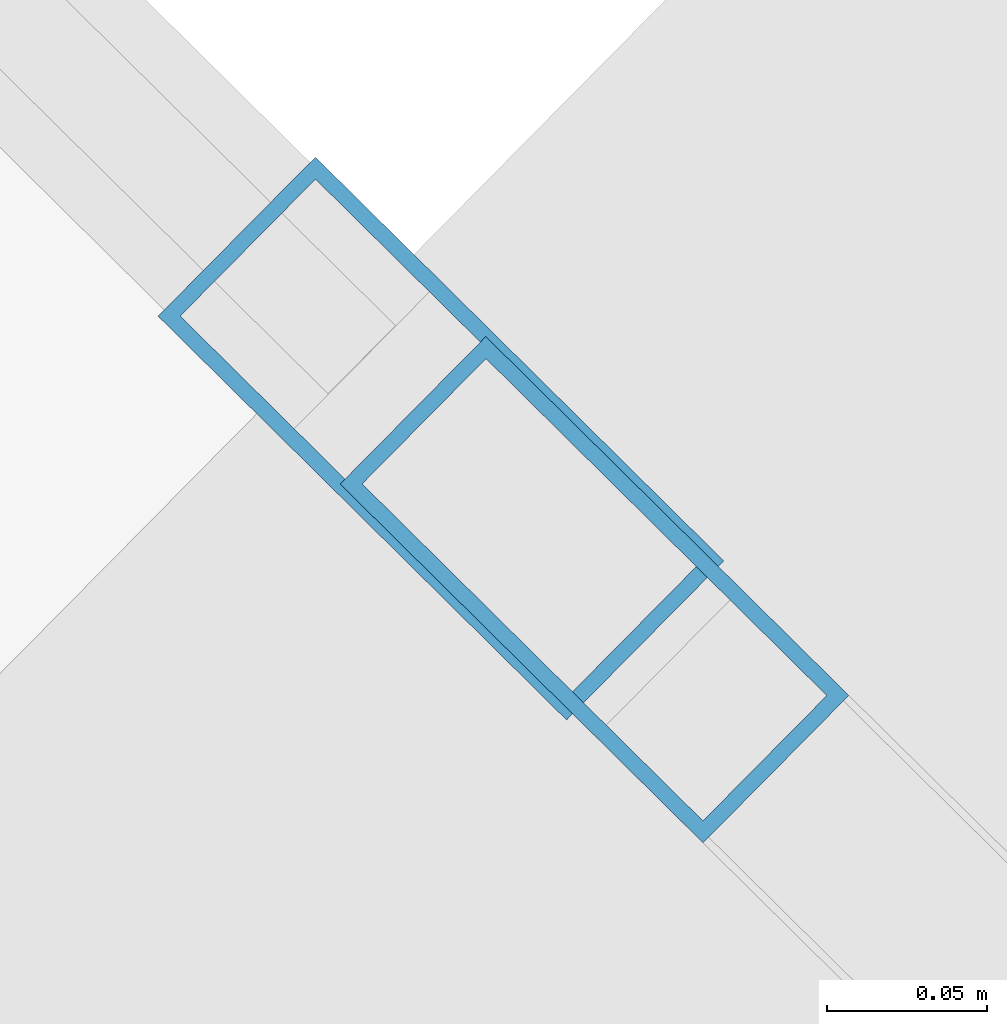
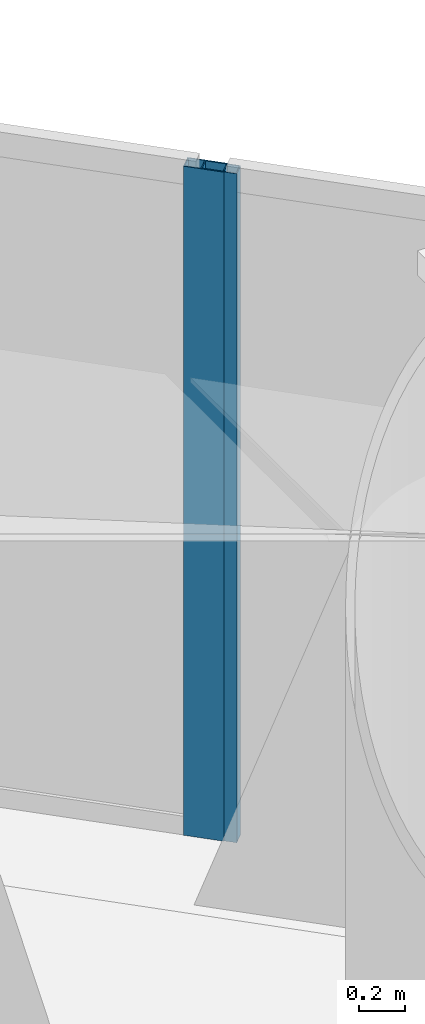
# One storey, part 12 of 24: 2 members, 2 elements without a shape of their own.
"""IFC4 building model written with IfcOpenShell, lengths in metres."""

import ifcopenshell
import ifcopenshell.guid

model = None  # the IFC model being written
_history = None  # IfcOwnerHistory: only IFC2X3 demands one
_inside = {}  # id of a spatial element -> (the spatial element, [elements in it])
_under = {}  # id of a project, library or spatial element -> (it, [spatial elements below it])
_declared = {}  # id of a project -> (the project, [libraries it declares])
_typed = {}  # id of a type object -> (the type object, [elements of that type])
_made_of = {}  # id of a material, layer set ... -> (it, [elements and type objects made of it])


def new_model(schema):
    """Start an empty IFC model of exactly this schema.

    Asked for "IFC4X3", IfcOpenShell would pick the latest addendum, in which some entities
    have other attributes; the version numbers below select the first issue.
    IFC2X3 requires an IfcOwnerHistory on every rooted entity: one is made here for all.
    """
    global model, _history
    if schema == "IFC4X3":
        model = ifcopenshell.file(schema_version=(4, 3, 0, 0))
    else:
        model = ifcopenshell.file(schema=schema)
    _inside.clear()
    _under.clear()
    _declared.clear()
    _typed.clear()
    _made_of.clear()
    _history = None
    if model.schema == "IFC2X3":
        org = make("IfcOrganization", Name="unknown")
        user = make(
            "IfcPersonAndOrganization",
            ThePerson=make("IfcPerson", FamilyName="unknown"),
            TheOrganization=org,
        )
        app = make(
            "IfcApplication",
            ApplicationDeveloper=org,
            Version="unknown",
            ApplicationFullName="unknown",
            ApplicationIdentifier="unknown",
        )
        _history = make(
            "IfcOwnerHistory",
            OwningUser=user,
            OwningApplication=app,
            ChangeAction="ADDED",
            CreationDate=0,
        )
    return model


def make(cls, **values):
    """One entity of the class cls with the attributes given. An attribute that is None is left unset."""
    return model.create_entity(
        cls, **{name: value for name, value in values.items() if value is not None}
    )


def rooted(cls, **values):
    """An entity with a GlobalId (a new one), such as an element, a storey or a relation."""
    return make(cls, GlobalId=ifcopenshell.guid.new(), OwnerHistory=_history, **values)


def si_unit(unit_type, name, prefix=None):
    """IfcSIUnit, for example si_unit("LENGTHUNIT", "METRE", prefix="MILLI")."""
    return make("IfcSIUnit", UnitType=unit_type, Prefix=prefix, Name=name)


def assignment(units):
    """IfcUnitAssignment: the units of a project."""
    return None if units is None else make("IfcUnitAssignment", Units=units)


def point(xyz):
    """IfcCartesianPoint."""
    return None if xyz is None else make("IfcCartesianPoint", Coordinates=xyz)


def direction(xyz):
    """IfcDirection."""
    return None if xyz is None else make("IfcDirection", DirectionRatios=xyz)


def frame(location, z_axis=None, x_axis=None):
    """IfcAxis2Placement3D, a coordinate frame: its origin and axes. An axis left out is left unset."""
    return make(
        "IfcAxis2Placement3D",
        Location=point(location),
        Axis=direction(z_axis),
        RefDirection=direction(x_axis),
    )


def frame_2d(location, x_axis=None):
    """IfcAxis2Placement2D, a coordinate frame in the plane: its origin and x axis."""
    return make(
        "IfcAxis2Placement2D", Location=point(location), RefDirection=direction(x_axis)
    )


def origin():
    """The frame at (0, 0, 0) with its axes left unset."""
    return frame((0.0, 0.0, 0.0))


def origin_2d():
    """The frame at (0, 0) in the plane with its x axis left unset."""
    return frame_2d((0.0, 0.0))


def place(relative_to, where):
    """IfcLocalPlacement: puts the frame where relative to a parent placement (None: the world)."""
    return make(
        "IfcLocalPlacement", PlacementRelTo=relative_to, RelativePlacement=where
    )


def context(
    kind, dimensions, precision=None, world=None, true_north=None, identifier=None
):
    """IfcGeometricRepresentationContext, for example the 3D "Model" context."""
    return make(
        "IfcGeometricRepresentationContext",
        ContextIdentifier=identifier,
        ContextType=kind,
        CoordinateSpaceDimension=dimensions,
        Precision=precision,
        WorldCoordinateSystem=world,
        TrueNorth=true_north,
    )


def subcontext(parent, identifier, kind, view, scale=None):
    """IfcGeometricRepresentationSubContext, for example "Body" below "Model"."""
    return make(
        "IfcGeometricRepresentationSubContext",
        ContextIdentifier=identifier,
        ContextType=kind,
        ParentContext=parent,
        TargetScale=scale,
        TargetView=view,
    )


def project(units=None, contexts=None):
    """IfcProject with its units and contexts."""
    return rooted(
        "IfcProject",
        Name="project",
        RepresentationContexts=contexts,
        UnitsInContext=assignment(units),
    )


def spatial(cls, under=None, at=None, **own):
    """A site, building, storey or space (cls), placed at a placement, below another one or the project."""
    s = rooted(cls, ObjectPlacement=at, **own)
    if under is not None:
        _under.setdefault(under.id(), (under, []))[1].append(s)
    return s


def profile(cls, at=None, kind="AREA", **sizes):
    """A parametric profile (cls). Its sizes go by their IFC names, for example OverallWidth=200.0."""
    return make(cls, ProfileType=kind, Position=at, **sizes)


def hollow_rectangle(**sizes):
    """IfcRectangleHollowProfileDef."""
    return profile("IfcRectangleHollowProfileDef", **sizes)


def extrude(swept, where, along, depth):
    """IfcExtrudedAreaSolid: the profile swept, set in the frame where, extruded along a direction by depth."""
    return make(
        "IfcExtrudedAreaSolid",
        SweptArea=swept,
        Position=where,
        ExtrudedDirection=direction(along),
        Depth=depth,
    )


def shape(context_of_items, identifier, shape_type, items):
    """IfcShapeRepresentation: the items that make up one representation, for example the "Body"."""
    return make(
        "IfcShapeRepresentation",
        ContextOfItems=context_of_items,
        RepresentationIdentifier=identifier,
        RepresentationType=shape_type,
        Items=items,
    )


def material(Name=None, Category=None):
    """IfcMaterial."""
    return make("IfcMaterial", Name=Name, Category=Category)


def layer(
    of_material, thickness, ventilated=None, Name=None, Category=None, Priority=None
):
    """IfcMaterialLayer: one layer of a wall or slab, of a material (None: an air gap)."""
    return make(
        "IfcMaterialLayer",
        Material=of_material,
        LayerThickness=thickness,
        IsVentilated=ventilated,
        Name=Name,
        Category=Category,
        Priority=Priority,
    )


def layer_set(layers, Name=None):
    """IfcMaterialLayerSet."""
    return make("IfcMaterialLayerSet", MaterialLayers=layers, LayerSetName=Name)


def material_profile(
    of_material, cross_section, Name=None, Category=None, Priority=None
):
    """IfcMaterialProfile: a cross section and its material."""
    return make(
        "IfcMaterialProfile",
        Name=Name,
        Material=of_material,
        Profile=cross_section,
        Priority=Priority,
        Category=Category,
    )


def profile_set(profiles, Name=None, composite=None):
    """IfcMaterialProfileSet."""
    return make(
        "IfcMaterialProfileSet",
        Name=Name,
        MaterialProfiles=profiles,
        CompositeProfile=composite,
    )


def made_of(thing, what):
    """Note that an element or type object is made of a material, layer set ...; save() writes the relation."""
    if what is not None:
        _made_of.setdefault(what.id(), (what, []))[1].append(thing)
    return thing


def type_object(cls, material=None, **own):
    """A type object (cls), such as IfcWallType, which elements share."""
    return made_of(rooted(cls, **own), material)


def element(
    cls,
    number,
    at=None,
    inside=None,
    cuts=None,
    type_object=None,
    material=None,
    context=None,
    identifier="Body",
    shape_type=None,
    held_by="IfcProductDefinitionShape",
    body=None,
    shapes=None,
    **own,
):
    """One element of the class cls, such as IfcWall. Its Tag is "e" and its number.

    at: its placement. inside: the storey or other place that contains it. cuts: it is an
    opening in that element (IfcRelVoidsElement). A single representation is given by context,
    identifier, shape_type and body (its items); several are given by shapes. held_by: the class
    of the entity that holds the representations. save() writes the other relations.
    """
    e = rooted(cls, Tag="e%d" % number, ObjectPlacement=at, **own)
    if body is not None:
        shapes = [shape(context, identifier, shape_type, body)]
    if shapes is not None:
        e.Representation = make(held_by, Representations=shapes)
    if inside is not None:
        _inside.setdefault(inside.id(), (inside, []))[1].append(e)
    if cuts is not None:
        rooted(
            "IfcRelVoidsElement", RelatingBuildingElement=cuts, RelatedOpeningElement=e
        )
    if type_object is not None:
        _typed.setdefault(type_object.id(), (type_object, []))[1].append(e)
    return made_of(e, material)


def aggregate(whole, parts):
    """IfcRelAggregates: a whole, such as a stair, and the parts it consists of."""
    return rooted("IfcRelAggregates", RelatingObject=whole, RelatedObjects=parts)


def save(model, path):
    """Write the relations noted so far, then the file.

    IfcRelAggregates (storeys below a building ...), IfcRelContainedInSpatialStructure (elements
    in a storey), IfcRelDefinesByType, IfcRelAssociatesMaterial and IfcRelDeclares: one each for
    every whole, place, type object, material and project.
    """
    for whole, parts in _under.values():
        aggregate(whole, parts)
    for where, things in _inside.values():
        rooted(
            "IfcRelContainedInSpatialStructure",
            RelatedElements=things,
            RelatingStructure=where,
        )
    for kind, things in _typed.values():
        rooted("IfcRelDefinesByType", RelatedObjects=things, RelatingType=kind)
    for what, things in _made_of.values():
        rooted("IfcRelAssociatesMaterial", RelatedObjects=things, RelatingMaterial=what)
    for by, libraries in _declared.values():
        rooted("IfcRelDeclares", RelatingContext=by, RelatedDefinitions=libraries)
    model.write(path)


model = new_model("IFC4")

# Units and contexts
model_context = context("Model", 3, precision=1e-05, world=origin(), true_north=direction((0.0, 1.0)))
body_context = subcontext(model_context, "Body", "Model", "MODEL_VIEW")
ifc_project = project(units=[si_unit("LENGTHUNIT", "METRE"), si_unit("AREAUNIT", "SQUARE_METRE"), si_unit("VOLUMEUNIT", "CUBIC_METRE"), si_unit("PLANEANGLEUNIT", "RADIAN"), si_unit("MASSUNIT", "GRAM", prefix="KILO")], contexts=[model_context])

# Site, building, storey
site_placement = place(None, origin())
site = spatial("IfcSite", under=ifc_project, at=site_placement, CompositionType="ELEMENT")
building_placement = place(site_placement, origin())
building = spatial("IfcBuilding", under=site, at=building_placement, Name="Qianvela Tower", CompositionType="ELEMENT")
storey_placement = place(building_placement, frame((0.0, 0.0, 59.89990234375)))
storey = spatial("IfcBuildingStorey", under=building, at=storey_placement, Name="L14", CompositionType="ELEMENT", Elevation=59.89990234375)

# Curtain wall, member
ifc_material_1 = material(Name="Anodised Architectural Aluminium and Insulated Spandrel Panel", Category="aluminium")
ifc_layer_1 = layer(ifc_material_1, 0.179931640625)
ifc_layer_set_1 = layer_set([ifc_layer_1], Name="Anodised Architectural Aluminium and Insulated Spandrel Panel")
curtain_wall_type_1 = type_object("IfcCurtainWallType", Name="CW-BRACEBAY", PredefinedType="USERDEFINED", material=ifc_layer_set_1)
curtain_wall_1_placement = place(storey_placement, origin())
curtain_wall_1 = element("IfcCurtainWall", 1, at=curtain_wall_1_placement, inside=storey, type_object=curtain_wall_type_1, Name="L14 CW-BRACEBAY Curtain Wall 02B", ObjectType="CURTAIN_WALL_SYSTEM", PredefinedType="USERDEFINED")
ifc_material_2 = material(Name="Anodised Architectural Aluminium 6063-T6", Category="aluminium")
ifc_material_profile_1 = material_profile(ifc_material_2, hollow_rectangle(XDim=0.06494140625, YDim=0.159912109375, WallThickness=0.0048828125, at=origin_2d()), Name="ALU-MULL-65x160")
ifc_profile_set_1 = profile_set([ifc_material_profile_1], Name="Anodised Architectural Aluminium 6063-T6")
member_type_1 = type_object("IfcMemberType", Name="CW-BRACEBAY-MULL", PredefinedType="MULLION", material=ifc_profile_set_1)
member_1_placement = place(storey_placement, frame((45.789794921875, 36.4462890625, 0.0), z_axis=(0.0, 0.0, 1.0), x_axis=(-0.703053799388, -0.711136664197, 0.0)))
member_1 = element("IfcMember", 2, at=member_1_placement, type_object=member_type_1, Name="CW-9 mullion 2", PredefinedType="MULLION", context=body_context, shape_type="SweptSolid", body=[
    extrude(hollow_rectangle(XDim=0.06494140625, YDim=0.159912109375, WallThickness=0.0048828125, at=origin_2d()), origin(), (0.0, 0.0, 1.0), 3.52001953125),
])
aggregate(curtain_wall_1, [member_1])

ifc_material_3 = material(Name="Anodised Architectural Aluminium and Low-E Glass", Category="aluminium")
ifc_layer_2 = layer(ifc_material_3, 0.179931640625)
ifc_layer_set_2 = layer_set([ifc_layer_2], Name="Anodised Architectural Aluminium and Low-E Glass")
curtain_wall_type_2 = type_object("IfcCurtainWallType", Name="CW-COLIV-Z12", PredefinedType="USERDEFINED", material=ifc_layer_set_2)
curtain_wall_2_placement = place(storey_placement, origin())
curtain_wall_2 = element("IfcCurtainWall", 3, at=curtain_wall_2_placement, inside=storey, type_object=curtain_wall_type_2, Name="L14 CW-COLIV-Z12 Curtain Wall 02C", ObjectType="CURTAIN_WALL_SYSTEM", PredefinedType="USERDEFINED")
ifc_material_4 = material(Name="Anodised Architectural Aluminium 6063-T6", Category="aluminium")
ifc_material_profile_2 = material_profile(ifc_material_4, hollow_rectangle(XDim=0.070068359375, YDim=0.179931640625, WallThickness=0.0048828125, at=origin_2d()), Name="ALU-MULL-70x180")
ifc_profile_set_2 = profile_set([ifc_material_profile_2], Name="Anodised Architectural Aluminium 6063-T6")
member_type_2 = type_object("IfcMemberType", Name="CW-COLIV-Z12-MULL", PredefinedType="MULLION", material=ifc_profile_set_2)
member_2_placement = place(storey_placement, frame((45.74169921875, 36.49365234375, 0.0), z_axis=(0.0, 0.0, 1.0), x_axis=(-0.703059764142, -0.71113076719, 0.0)))
member_2 = element("IfcMember", 4, at=member_2_placement, type_object=member_type_2, Name="CW-3 mullion 1", PredefinedType="MULLION", context=body_context, shape_type="SweptSolid", body=[
    extrude(hollow_rectangle(XDim=0.070068359375, YDim=0.179931640625, WallThickness=0.0048828125, at=origin_2d()), origin(), (0.0, 0.0, 1.0), 3.52001953125),
])
aggregate(curtain_wall_2, [member_2])

save(model, "model.ifc")
